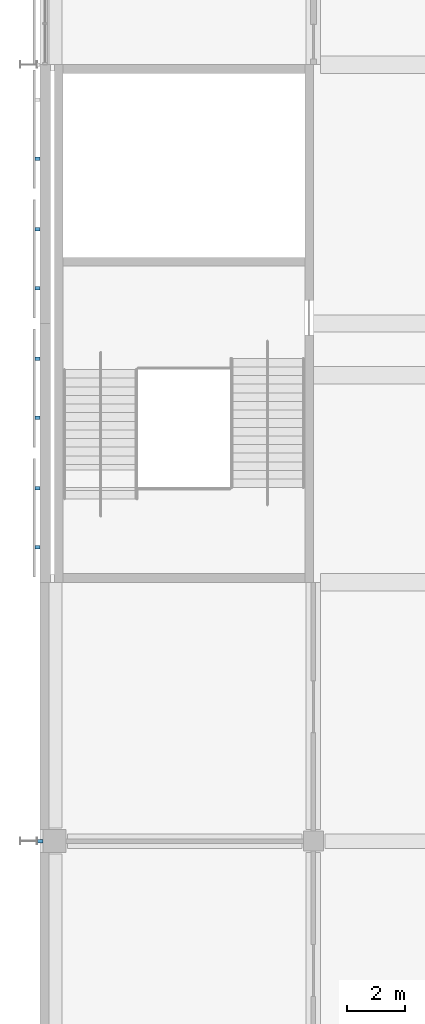
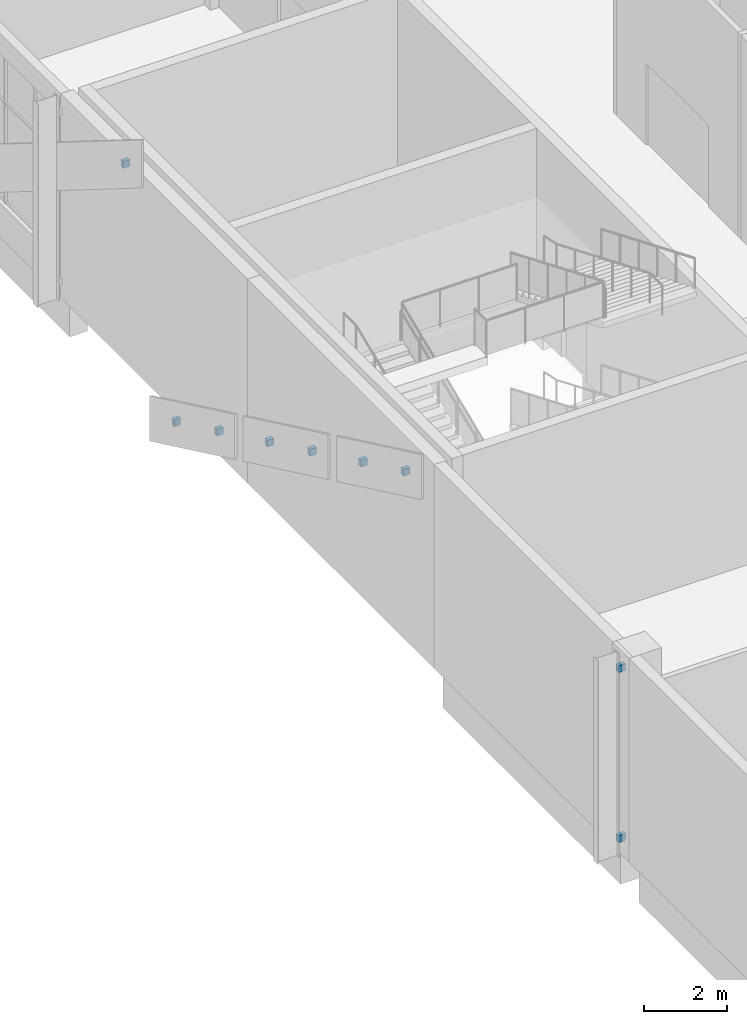
# One storey, part 55 of 89: 9 discrete accessories.
"""IFC4 building model written with IfcOpenShell, lengths in metres."""

import ifcopenshell
import ifcopenshell.guid

model = None  # the IFC model being written
_history = None  # IfcOwnerHistory: only IFC2X3 demands one
_inside = {}  # id of a spatial element -> (the spatial element, [elements in it])
_under = {}  # id of a project, library or spatial element -> (it, [spatial elements below it])
_declared = {}  # id of a project -> (the project, [libraries it declares])
_typed = {}  # id of a type object -> (the type object, [elements of that type])
_made_of = {}  # id of a material, layer set ... -> (it, [elements and type objects made of it])


def new_model(schema):
    """Start an empty IFC model of exactly this schema.

    Asked for "IFC4X3", IfcOpenShell would pick the latest addendum, in which some entities
    have other attributes; the version numbers below select the first issue.
    IFC2X3 requires an IfcOwnerHistory on every rooted entity: one is made here for all.
    """
    global model, _history
    if schema == "IFC4X3":
        model = ifcopenshell.file(schema_version=(4, 3, 0, 0))
    else:
        model = ifcopenshell.file(schema=schema)
    _inside.clear()
    _under.clear()
    _declared.clear()
    _typed.clear()
    _made_of.clear()
    _history = None
    if model.schema == "IFC2X3":
        org = make("IfcOrganization", Name="unknown")
        user = make(
            "IfcPersonAndOrganization",
            ThePerson=make("IfcPerson", FamilyName="unknown"),
            TheOrganization=org,
        )
        app = make(
            "IfcApplication",
            ApplicationDeveloper=org,
            Version="unknown",
            ApplicationFullName="unknown",
            ApplicationIdentifier="unknown",
        )
        _history = make(
            "IfcOwnerHistory",
            OwningUser=user,
            OwningApplication=app,
            ChangeAction="ADDED",
            CreationDate=0,
        )
    return model


def make(cls, **values):
    """One entity of the class cls with the attributes given. An attribute that is None is left unset."""
    return model.create_entity(
        cls, **{name: value for name, value in values.items() if value is not None}
    )


def rooted(cls, **values):
    """An entity with a GlobalId (a new one), such as an element, a storey or a relation."""
    return make(cls, GlobalId=ifcopenshell.guid.new(), OwnerHistory=_history, **values)


def si_unit(unit_type, name, prefix=None):
    """IfcSIUnit, for example si_unit("LENGTHUNIT", "METRE", prefix="MILLI")."""
    return make("IfcSIUnit", UnitType=unit_type, Prefix=prefix, Name=name)


def assignment(units):
    """IfcUnitAssignment: the units of a project."""
    return None if units is None else make("IfcUnitAssignment", Units=units)


def point(xyz):
    """IfcCartesianPoint."""
    return None if xyz is None else make("IfcCartesianPoint", Coordinates=xyz)


def direction(xyz):
    """IfcDirection."""
    return None if xyz is None else make("IfcDirection", DirectionRatios=xyz)


def frame(location, z_axis=None, x_axis=None):
    """IfcAxis2Placement3D, a coordinate frame: its origin and axes. An axis left out is left unset."""
    return make(
        "IfcAxis2Placement3D",
        Location=point(location),
        Axis=direction(z_axis),
        RefDirection=direction(x_axis),
    )


def frame_2d(location, x_axis=None):
    """IfcAxis2Placement2D, a coordinate frame in the plane: its origin and x axis."""
    return make(
        "IfcAxis2Placement2D", Location=point(location), RefDirection=direction(x_axis)
    )


def origin():
    """The frame at (0, 0, 0) with its axes left unset."""
    return frame((0.0, 0.0, 0.0))


def origin_2d():
    """The frame at (0, 0) in the plane with its x axis left unset."""
    return frame_2d((0.0, 0.0))


def place(relative_to, where):
    """IfcLocalPlacement: puts the frame where relative to a parent placement (None: the world)."""
    return make(
        "IfcLocalPlacement", PlacementRelTo=relative_to, RelativePlacement=where
    )


def context(
    kind, dimensions, precision=None, world=None, true_north=None, identifier=None
):
    """IfcGeometricRepresentationContext, for example the 3D "Model" context."""
    return make(
        "IfcGeometricRepresentationContext",
        ContextIdentifier=identifier,
        ContextType=kind,
        CoordinateSpaceDimension=dimensions,
        Precision=precision,
        WorldCoordinateSystem=world,
        TrueNorth=true_north,
    )


def subcontext(parent, identifier, kind, view, scale=None):
    """IfcGeometricRepresentationSubContext, for example "Body" below "Model"."""
    return make(
        "IfcGeometricRepresentationSubContext",
        ContextIdentifier=identifier,
        ContextType=kind,
        ParentContext=parent,
        TargetScale=scale,
        TargetView=view,
    )


def project(units=None, contexts=None):
    """IfcProject with its units and contexts."""
    return rooted(
        "IfcProject",
        Name="project",
        RepresentationContexts=contexts,
        UnitsInContext=assignment(units),
    )


def spatial(cls, under=None, at=None, **own):
    """A site, building, storey or space (cls), placed at a placement, below another one or the project."""
    s = rooted(cls, ObjectPlacement=at, **own)
    if under is not None:
        _under.setdefault(under.id(), (under, []))[1].append(s)
    return s


def profile(cls, at=None, kind="AREA", **sizes):
    """A parametric profile (cls). Its sizes go by their IFC names, for example OverallWidth=200.0."""
    return make(cls, ProfileType=kind, Position=at, **sizes)


def rectangle(**sizes):
    """IfcRectangleProfileDef."""
    return profile("IfcRectangleProfileDef", **sizes)


def extrude(swept, where, along, depth):
    """IfcExtrudedAreaSolid: the profile swept, set in the frame where, extruded along a direction by depth."""
    return make(
        "IfcExtrudedAreaSolid",
        SweptArea=swept,
        Position=where,
        ExtrudedDirection=direction(along),
        Depth=depth,
    )


def shape(context_of_items, identifier, shape_type, items):
    """IfcShapeRepresentation: the items that make up one representation, for example the "Body"."""
    return make(
        "IfcShapeRepresentation",
        ContextOfItems=context_of_items,
        RepresentationIdentifier=identifier,
        RepresentationType=shape_type,
        Items=items,
    )


def material(Name=None, Category=None):
    """IfcMaterial."""
    return make("IfcMaterial", Name=Name, Category=Category)


def made_of(thing, what):
    """Note that an element or type object is made of a material, layer set ...; save() writes the relation."""
    if what is not None:
        _made_of.setdefault(what.id(), (what, []))[1].append(thing)
    return thing


def type_object(cls, material=None, **own):
    """A type object (cls), such as IfcWallType, which elements share."""
    return made_of(rooted(cls, **own), material)


def element(
    cls,
    number,
    at=None,
    inside=None,
    cuts=None,
    type_object=None,
    material=None,
    context=None,
    identifier="Body",
    shape_type=None,
    held_by="IfcProductDefinitionShape",
    body=None,
    shapes=None,
    **own,
):
    """One element of the class cls, such as IfcWall. Its Tag is "e" and its number.

    at: its placement. inside: the storey or other place that contains it. cuts: it is an
    opening in that element (IfcRelVoidsElement). A single representation is given by context,
    identifier, shape_type and body (its items); several are given by shapes. held_by: the class
    of the entity that holds the representations. save() writes the other relations.
    """
    e = rooted(cls, Tag="e%d" % number, ObjectPlacement=at, **own)
    if body is not None:
        shapes = [shape(context, identifier, shape_type, body)]
    if shapes is not None:
        e.Representation = make(held_by, Representations=shapes)
    if inside is not None:
        _inside.setdefault(inside.id(), (inside, []))[1].append(e)
    if cuts is not None:
        rooted(
            "IfcRelVoidsElement", RelatingBuildingElement=cuts, RelatedOpeningElement=e
        )
    if type_object is not None:
        _typed.setdefault(type_object.id(), (type_object, []))[1].append(e)
    return made_of(e, material)


def aggregate(whole, parts):
    """IfcRelAggregates: a whole, such as a stair, and the parts it consists of."""
    return rooted("IfcRelAggregates", RelatingObject=whole, RelatedObjects=parts)


def save(model, path):
    """Write the relations noted so far, then the file.

    IfcRelAggregates (storeys below a building ...), IfcRelContainedInSpatialStructure (elements
    in a storey), IfcRelDefinesByType, IfcRelAssociatesMaterial and IfcRelDeclares: one each for
    every whole, place, type object, material and project.
    """
    for whole, parts in _under.values():
        aggregate(whole, parts)
    for where, things in _inside.values():
        rooted(
            "IfcRelContainedInSpatialStructure",
            RelatedElements=things,
            RelatingStructure=where,
        )
    for kind, things in _typed.values():
        rooted("IfcRelDefinesByType", RelatedObjects=things, RelatingType=kind)
    for what, things in _made_of.values():
        rooted("IfcRelAssociatesMaterial", RelatedObjects=things, RelatingMaterial=what)
    for by, libraries in _declared.values():
        rooted("IfcRelDeclares", RelatingContext=by, RelatedDefinitions=libraries)
    model.write(path)


model = new_model("IFC4")

# Units and contexts
model_context = context("Model", 3, precision=1e-05, world=origin(), true_north=direction((0.0, 1.0)))
body_context = subcontext(model_context, "Body", "Model", "MODEL_VIEW")
ifc_project = project(units=[si_unit("LENGTHUNIT", "METRE"), si_unit("AREAUNIT", "SQUARE_METRE"), si_unit("VOLUMEUNIT", "CUBIC_METRE"), si_unit("PLANEANGLEUNIT", "RADIAN"), si_unit("MASSUNIT", "GRAM", prefix="KILO")], contexts=[model_context])

# Site, building, storey
site_placement = place(None, origin())
site = spatial("IfcSite", under=ifc_project, at=site_placement, CompositionType="ELEMENT")
building_placement = place(site_placement, origin())
building = spatial("IfcBuilding", under=site, at=building_placement, Name="Silverbay Arena", CompositionType="ELEMENT")
storey_placement = place(building_placement, frame((0.0, 0.0, 22.0)))
storey = spatial("IfcBuildingStorey", under=building, at=storey_placement, Name="L03", CompositionType="ELEMENT", Elevation=22.0)

# Discrete accessories
ifc_material = material(Name="Steel S355", Category="steel")
discrete_accessory_type = type_object("IfcDiscreteAccessoryType", Name="Steel bracket plate", PredefinedType="BRACKET", material=ifc_material)
for number, where, z_axis, x_axis, name in (
    (1, (53.5, 45.0, 0.39990234375), (0.0, 0.0, 1.0), (1.0, 0.0, 0.0), "Fin bracket"),
    (2, (53.5, 45.0, 5.39990234375), (0.0, 0.0, 1.0), (1.0, 0.0, 0.0), "Fin bracket"),
):
    element("IfcDiscreteAccessory", number, at=place(storey_placement, frame(where, z_axis=z_axis, x_axis=x_axis)), inside=storey, type_object=discrete_accessory_type, Name=name, PredefinedType="BRACKET", context=body_context, shape_type="SweptSolid", body=[
        extrude(rectangle(XDim=0.199951171875, YDim=0.1201171875, at=origin_2d()), origin(), (0.0, 0.0, 1.0), 0.199951171875),
    ])
for number, where, z_axis, x_axis, name in (
    (3, (53.409912109375, 55.22509765625, 5.00732421875), (0.0, 0.0, 1.0), (1.0, 0.0, 0.0), "Band bracket"),
    (4, (53.409912109375, 57.27490234375, 4.03369140625), (0.0, 0.0, 1.0), (1.0, 0.0, 0.0), "Band bracket"),
    (5, (53.409912109375, 59.72509765625, 2.8701171875), (0.0, 0.0, 1.0), (1.0, 0.0, 0.0), "Band bracket"),
    (6, (53.409912109375, 61.77490234375, 1.89599609375), (0.0, 0.0, 1.0), (1.0, 0.0, 0.0), "Band bracket"),
    (7, (53.409912109375, 64.22509765625, 0.732421875), (0.0, 0.0, 1.0), (1.0, 0.0, 0.0), "Band bracket"),
    (8, (53.409912109375, 66.27490234375, -0.2412109375), (0.0, 0.0, 1.0), (1.0, 0.0, 0.0), "Band bracket"),
    (9, (53.409912109375, 68.72509765625, 5.87939453125), (0.0, 0.0, 1.0), (1.0, 0.0, 0.0), "Band bracket"),
):
    element("IfcDiscreteAccessory", number, at=place(storey_placement, frame(where, z_axis=z_axis, x_axis=x_axis)), inside=storey, type_object=discrete_accessory_type, Name=name, PredefinedType="BRACKET", context=body_context, shape_type="SweptSolid", body=[
        extrude(rectangle(XDim=0.179931640625, YDim=0.1201171875, at=origin_2d()), origin(), (0.0, 0.0, 1.0), 0.199951171875),
    ])

save(model, "model.ifc")
